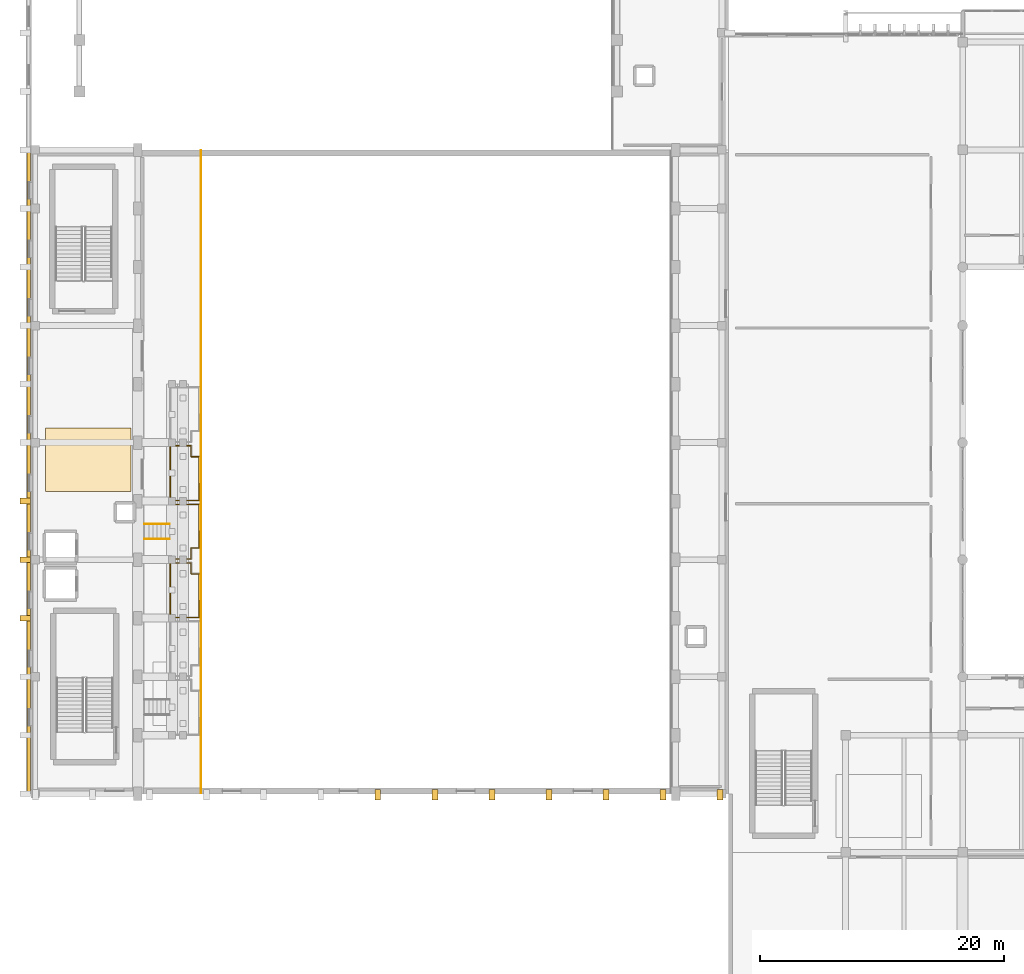
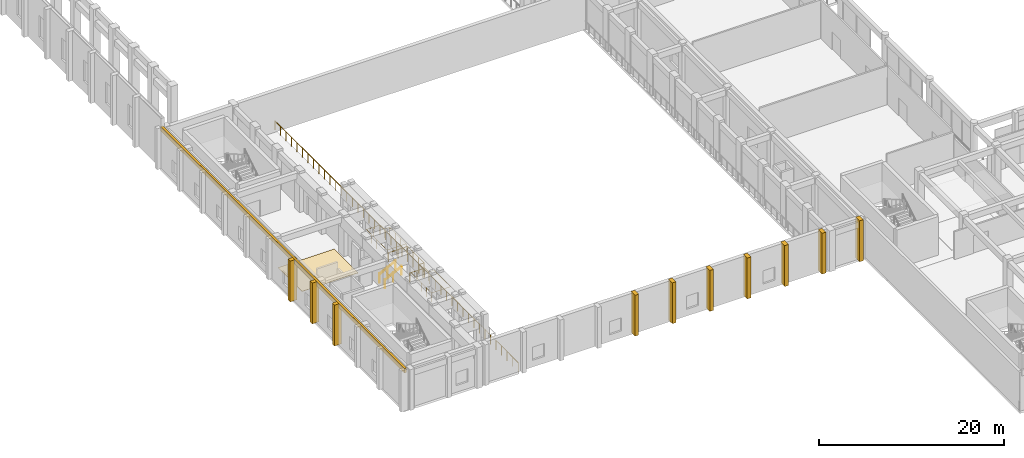
# One storey, part 118 of 134: 12 coverings, 8 railings.
"""IFC4 building model written with IfcOpenShell, lengths in metres."""

from ifc_helpers import new_model, si_unit, direction, frame, origin, origin_2d, place, context, subcontext, project, spatial, polyline, rectangle, circle, outline, extrude, material, layer, layer_set, type_object, element, save


model = new_model("IFC4")

# Units and contexts
model_context = context("Model", 3, precision=1e-05, world=origin(), true_north=direction((0.0, 1.0)))
body_context = subcontext(model_context, "Body", "Model", "MODEL_VIEW")
ifc_project = project(units=[si_unit("LENGTHUNIT", "METRE"), si_unit("AREAUNIT", "SQUARE_METRE"), si_unit("VOLUMEUNIT", "CUBIC_METRE"), si_unit("PLANEANGLEUNIT", "RADIAN"), si_unit("MASSUNIT", "GRAM", prefix="KILO")], contexts=[model_context])

# Site, building, storey
site_placement = place(None, origin())
site = spatial("IfcSite", under=ifc_project, at=site_placement, CompositionType="ELEMENT")
building_placement = place(site_placement, origin())
building = spatial("IfcBuilding", under=site, at=building_placement, Name="Nakhvara Creek Congress Hotel", CompositionType="ELEMENT")
storey_placement = place(building_placement, frame((0.0, 0.0, 6.0)))
storey = spatial("IfcBuildingStorey", under=building, at=storey_placement, Name="L01", CompositionType="ELEMENT", Elevation=6.0)

# Coverings
ifc_material_1 = material(Name="Honed pale Omani limestone architectural cladding", Category="masonry")
ifc_layer_1 = layer(ifc_material_1, 0.239990234375)
ifc_layer_set_1 = layer_set([ifc_layer_1], Name="Honed pale Omani limestone architectural cladding")
covering_type_1 = type_object("IfcCoveringType", Name="COV-ARCH-240", PredefinedType="CLADDING", material=ifc_layer_set_1)
covering_1_placement = place(storey_placement, frame((0.2099609375, 60.0, 4.820068359375), z_axis=(0.0, 0.0, 1.0), x_axis=(0.0, 1.0, 0.0)))
element("IfcCovering", 1, at=covering_1_placement, inside=storey, type_object=covering_type_1, Name="Pale Limestone Spandrel Band CF04-0037", PredefinedType="CLADDING", context=body_context, shape_type="SweptSolid", body=[
    extrude(rectangle(XDim=52.800048828125, YDim=0.260009765625, at=origin_2d()), origin(), (0.0, 0.0, 1.0), 0.580078125),
])
ifc_layer_2 = layer(ifc_material_1, 0.449951171875)
ifc_layer_set_2 = layer_set([ifc_layer_2], Name="Honed pale Omani limestone architectural cladding")
covering_type_2 = type_object("IfcCoveringType", Name="COV-BUTT-850", PredefinedType="CLADDING", material=ifc_layer_set_2)
for number, where, z_axis, x_axis, name in (
    (2, (-0.06494140625, 48.0, 0.0), (0.0, 0.0, 1.0), (0.0, 1.0, 0.0), "Gothic Limestone Buttress Pier CF03-0437"),
    (3, (-0.06494140625, 52.800048828125, 0.0), (0.0, 0.0, 1.0), (0.0, 1.0, 0.0), "Gothic Limestone Buttress Pier CF03-0438"),
    (4, (-0.06494140625, 57.60009765625, 0.0), (0.0, 0.0, 1.0), (0.0, 1.0, 0.0), "Gothic Limestone Buttress Pier CF03-0439"),
    (5, (28.830078125, 33.534912109375, 0.0), (0.0, 0.0, 1.0), (1.0, 0.0, 0.0), "Gothic Limestone Buttress Pier CF03-0452"),
    (6, (33.510009765625, 33.534912109375, 0.0), (0.0, 0.0, 1.0), (1.0, 0.0, 0.0), "Gothic Limestone Buttress Pier CF03-0453"),
    (7, (38.18994140625, 33.534912109375, 0.0), (0.0, 0.0, 1.0), (1.0, 0.0, 0.0), "Gothic Limestone Buttress Pier CF03-0454"),
    (8, (42.8701171875, 33.534912109375, 0.0), (0.0, 0.0, 1.0), (1.0, 0.0, 0.0), "Gothic Limestone Buttress Pier CF03-0455"),
    (9, (47.550048828125, 33.534912109375, 0.0), (0.0, 0.0, 1.0), (1.0, 0.0, 0.0), "Gothic Limestone Buttress Pier CF03-0456"),
    (10, (52.22998046875, 33.534912109375, 0.0), (0.0, 0.0, 1.0), (1.0, 0.0, 0.0), "Gothic Limestone Buttress Pier CF03-0457"),
    (11, (56.909912109375, 33.534912109375, 0.0), (0.0, 0.0, 1.0), (1.0, 0.0, 0.0), "Gothic Limestone Buttress Pier CF03-0458"),
):
    element("IfcCovering", number, at=place(storey_placement, frame(where, z_axis=z_axis, x_axis=x_axis)), inside=storey, type_object=covering_type_2, Name=name, PredefinedType="CLADDING", context=body_context, shape_type="SweptSolid", body=[
        extrude(rectangle(XDim=0.47998046875, YDim=0.85009765625, at=origin_2d()), origin(), (0.0, 0.0, 1.0), 5.39990234375),
    ])
ifc_material_2 = material(Name="Honed limestone and terrazzo acoustic floor finish", Category="masonry")
ifc_layer_3 = layer(ifc_material_2, 0.044921875)
ifc_layer_set_3 = layer_set([ifc_layer_3], Name="Honed limestone and terrazzo acoustic floor finish")
covering_type_3 = type_object("IfcCoveringType", Name="COV-FLR-TER", PredefinedType="FLOORING", material=ifc_layer_set_3)
covering_2_placement = place(storey_placement, origin())
element("IfcCovering", 12, at=covering_2_placement, inside=storey, type_object=covering_type_3, Name="Floor Finish L01-CH-02", PredefinedType="FLOORING", context=body_context, shape_type="SweptSolid", body=[
    extrude(outline(polyline([(1.60009765625, 58.39990234375), (8.60009765625, 58.39990234375), (8.60009765625, 63.60009765625), (1.60009765625, 63.60009765625), (1.60009765625, 58.39990234375)])), origin(), (0.0, 0.0, 1.0), 0.030029296875),
])

# Railings
ifc_material_3 = material(Name="Bronze-anodised aluminium and laminated safety glass balustrade", Category="aluminium")
railing_type_1 = type_object("IfcRailingType", Name="RL-BALUS-1200", PredefinedType="BALUSTRADE", material=ifc_material_3)
railing_1_placement = place(storey_placement, frame((14.330078125, 33.659912109375, 0.0)))
element("IfcRailing", 13, at=railing_1_placement, inside=storey, type_object=railing_type_1, Name="Congress Gallery Bowl Edge Guard L01", PredefinedType="BALUSTRADE", context=body_context, shape_type="SweptSolid", body=[
    extrude(circle(Radius=0.02392578125, at=origin_2d()), frame((0.0, 0.0146484375, 1.17578125), z_axis=(0.0, 1.0, 0.0), x_axis=(-1.0, 0.0, 0.0)), (0.0, 0.0, 1.0), 52.65087890625),
    extrude(circle(Radius=0.02099609375, at=origin_2d()), origin(), (0.0, 0.0, 1.0), 1.1806640625),
    extrude(circle(Radius=0.02099609375, at=origin_2d()), frame((0.0, 1.197265625, 0.0)), (0.0, 0.0, 1.0), 1.1806640625),
    extrude(circle(Radius=0.02099609375, at=origin_2d()), frame((0.0, 2.39453125, 0.0)), (0.0, 0.0, 1.0), 1.1806640625),
    extrude(circle(Radius=0.02099609375, at=origin_2d()), frame((0.0, 3.591796875, 0.0)), (0.0, 0.0, 1.0), 1.1806640625),
    extrude(circle(Radius=0.02099609375, at=origin_2d()), frame((0.0, 4.7890625, 0.0)), (0.0, 0.0, 1.0), 1.1806640625),
    extrude(circle(Radius=0.02099609375, at=origin_2d()), frame((0.0, 5.986328125, 0.0)), (0.0, 0.0, 1.0), 1.1806640625),
    extrude(circle(Radius=0.02099609375, at=origin_2d()), frame((0.0, 7.18359375, 0.0)), (0.0, 0.0, 1.0), 1.1806640625),
    extrude(circle(Radius=0.02099609375, at=origin_2d()), frame((0.0, 8.380859375, 0.0)), (0.0, 0.0, 1.0), 1.1806640625),
    extrude(circle(Radius=0.02099609375, at=origin_2d()), frame((0.0, 9.578125, 0.0)), (0.0, 0.0, 1.0), 1.1806640625),
    extrude(circle(Radius=0.02099609375, at=origin_2d()), frame((0.0, 10.775390625, 0.0)), (0.0, 0.0, 1.0), 1.1806640625),
    extrude(circle(Radius=0.02099609375, at=origin_2d()), frame((0.0, 11.97265625, 0.0)), (0.0, 0.0, 1.0), 1.1806640625),
    extrude(circle(Radius=0.02099609375, at=origin_2d()), frame((0.0, 13.169921875, 0.0)), (0.0, 0.0, 1.0), 1.1806640625),
    extrude(circle(Radius=0.02099609375, at=origin_2d()), frame((0.0, 14.367431640625, 0.0)), (0.0, 0.0, 1.0), 1.1806640625),
    extrude(circle(Radius=0.02099609375, at=origin_2d()), frame((0.0, 15.564697265625, 0.0)), (0.0, 0.0, 1.0), 1.1806640625),
    extrude(circle(Radius=0.02099609375, at=origin_2d()), frame((0.0, 16.761962890625, 0.0)), (0.0, 0.0, 1.0), 1.1806640625),
    extrude(circle(Radius=0.02099609375, at=origin_2d()), frame((0.0, 17.959228515625, 0.0)), (0.0, 0.0, 1.0), 1.1806640625),
    extrude(circle(Radius=0.02099609375, at=origin_2d()), frame((0.0, 19.156494140625, 0.0)), (0.0, 0.0, 1.0), 1.1806640625),
    extrude(circle(Radius=0.02099609375, at=origin_2d()), frame((0.0, 20.353759765625, 0.0)), (0.0, 0.0, 1.0), 1.1806640625),
    extrude(circle(Radius=0.02099609375, at=origin_2d()), frame((0.0, 21.551025390625, 0.0)), (0.0, 0.0, 1.0), 1.1806640625),
    extrude(circle(Radius=0.02099609375, at=origin_2d()), frame((0.0, 22.748291015625, 0.0)), (0.0, 0.0, 1.0), 1.1806640625),
    extrude(circle(Radius=0.02099609375, at=origin_2d()), frame((0.0, 23.945556640625, 0.0)), (0.0, 0.0, 1.0), 1.1806640625),
    extrude(circle(Radius=0.02099609375, at=origin_2d()), frame((0.0, 25.142822265625, 0.0)), (0.0, 0.0, 1.0), 1.1806640625),
    extrude(circle(Radius=0.02099609375, at=origin_2d()), frame((0.0, 26.340087890625, 0.0)), (0.0, 0.0, 1.0), 1.1806640625),
    extrude(circle(Radius=0.02099609375, at=origin_2d()), frame((0.0, 27.537353515625, 0.0)), (0.0, 0.0, 1.0), 1.1806640625),
    extrude(circle(Radius=0.02099609375, at=origin_2d()), frame((0.0, 28.734619140625, 0.0)), (0.0, 0.0, 1.0), 1.1806640625),
    extrude(circle(Radius=0.02099609375, at=origin_2d()), frame((0.0, 29.931884765625, 0.0)), (0.0, 0.0, 1.0), 1.1806640625),
    extrude(circle(Radius=0.02099609375, at=origin_2d()), frame((0.0, 31.129150390625, 0.0)), (0.0, 0.0, 1.0), 1.1806640625),
    extrude(circle(Radius=0.02099609375, at=origin_2d()), frame((0.0, 32.326416015625, 0.0)), (0.0, 0.0, 1.0), 1.1806640625),
    extrude(circle(Radius=0.02099609375, at=origin_2d()), frame((0.0, 33.523681640625, 0.0)), (0.0, 0.0, 1.0), 1.1806640625),
    extrude(circle(Radius=0.02099609375, at=origin_2d()), frame((0.0, 34.720947265625, 0.0)), (0.0, 0.0, 1.0), 1.1806640625),
    extrude(circle(Radius=0.02099609375, at=origin_2d()), frame((0.0, 35.918212890625, 0.0)), (0.0, 0.0, 1.0), 1.1806640625),
    extrude(circle(Radius=0.02099609375, at=origin_2d()), frame((0.0, 37.115478515625, 0.0)), (0.0, 0.0, 1.0), 1.1806640625),
    extrude(circle(Radius=0.02099609375, at=origin_2d()), frame((0.0, 38.312744140625, 0.0)), (0.0, 0.0, 1.0), 1.1806640625),
    extrude(circle(Radius=0.02099609375, at=origin_2d()), frame((0.0, 39.51025390625, 0.0)), (0.0, 0.0, 1.0), 1.1806640625),
    extrude(circle(Radius=0.02099609375, at=origin_2d()), frame((0.0, 40.70751953125, 0.0)), (0.0, 0.0, 1.0), 1.1806640625),
    extrude(circle(Radius=0.02099609375, at=origin_2d()), frame((0.0, 41.90478515625, 0.0)), (0.0, 0.0, 1.0), 1.1806640625),
    extrude(circle(Radius=0.02099609375, at=origin_2d()), frame((0.0, 43.10205078125, 0.0)), (0.0, 0.0, 1.0), 1.1806640625),
    extrude(circle(Radius=0.02099609375, at=origin_2d()), frame((0.0, 44.29931640625, 0.0)), (0.0, 0.0, 1.0), 1.1806640625),
    extrude(circle(Radius=0.02099609375, at=origin_2d()), frame((0.0, 45.49658203125, 0.0)), (0.0, 0.0, 1.0), 1.1806640625),
    extrude(circle(Radius=0.02099609375, at=origin_2d()), frame((0.0, 46.69384765625, 0.0)), (0.0, 0.0, 1.0), 1.1806640625),
    extrude(circle(Radius=0.02099609375, at=origin_2d()), frame((0.0, 47.89111328125, 0.0)), (0.0, 0.0, 1.0), 1.1806640625),
    extrude(circle(Radius=0.02099609375, at=origin_2d()), frame((0.0, 49.08837890625, 0.0)), (0.0, 0.0, 1.0), 1.1806640625),
    extrude(circle(Radius=0.02099609375, at=origin_2d()), frame((0.0, 50.28564453125, 0.0)), (0.0, 0.0, 1.0), 1.1806640625),
    extrude(circle(Radius=0.02099609375, at=origin_2d()), frame((0.0, 51.48291015625, 0.0)), (0.0, 0.0, 1.0), 1.1806640625),
    extrude(circle(Radius=0.02099609375, at=origin_2d()), frame((0.0, 52.68017578125, 0.0)), (0.0, 0.0, 1.0), 1.1806640625),
])
railing_2_placement = place(storey_placement, frame((11.81005859375, 48.06005859375, 1.35009765625)))
element("IfcRailing", 14, at=railing_2_placement, inside=storey, type_object=railing_type_1, Name="Stand Tier Balustrade L01-03", PredefinedType="BALUSTRADE", context=body_context, shape_type="SweptSolid", body=[
    extrude(circle(Radius=0.02392578125, at=origin_2d()), frame((0.0146484375, 0.0, 1.17578125), z_axis=(1.0, 0.0, 0.0), x_axis=(0.0, 1.0, 0.0)), (0.0, 0.0, 1.0), 2.340576171875),
    extrude(circle(Radius=0.02392578125, at=origin_2d()), frame((2.369873046875, 0.0146484375, 1.17578125), z_axis=(0.0, 1.0, 0.0), x_axis=(-1.0, 0.0, 0.0)), (0.0, 0.0, 1.0), 3.550537109375),
    extrude(circle(Radius=0.02392578125, at=origin_2d()), frame((2.355224609375, 3.579833984375, 1.17578125), z_axis=(-1.0, 0.0, 0.0), x_axis=(0.0, -1.0, 0.0)), (0.0, 0.0, 1.0), 0.62060546875),
    extrude(circle(Radius=0.02392578125, at=origin_2d()), frame((1.719970703125, 3.594482421875, 1.17578125), z_axis=(0.0, 1.0, 0.0), x_axis=(-1.0, 0.0, 0.0)), (0.0, 0.0, 1.0), 0.870849609375),
    extrude(circle(Radius=0.02392578125, at=origin_2d()), frame((1.705322265625, 4.47998046875, 1.17578125), z_axis=(-1.0, 0.0, 0.0), x_axis=(0.0, -1.0, 0.0)), (0.0, 0.0, 1.0), 1.690673828125),
    extrude(circle(Radius=0.02392578125, at=origin_2d()), frame((0.0, 4.46533203125, 1.17578125), z_axis=(0.0, -1.0, 0.0), x_axis=(1.0, 0.0, 0.0)), (0.0, 0.0, 1.0), 4.45068359375),
    extrude(circle(Radius=0.02099609375, at=origin_2d()), origin(), (0.0, 0.0, 1.0), 1.1806640625),
    extrude(circle(Radius=0.02099609375, at=origin_2d()), frame((1.18505859375, 0.0, 0.0)), (0.0, 0.0, 1.0), 1.1806640625),
    extrude(circle(Radius=0.02099609375, at=origin_2d()), frame((2.369873046875, 0.0, 0.0)), (0.0, 0.0, 1.0), 1.1806640625),
    extrude(circle(Radius=0.02099609375, at=origin_2d()), frame((2.369873046875, 1.193359375, 0.0)), (0.0, 0.0, 1.0), 1.1806640625),
    extrude(circle(Radius=0.02099609375, at=origin_2d()), frame((2.369873046875, 2.386474609375, 0.0)), (0.0, 0.0, 1.0), 1.1806640625),
    extrude(circle(Radius=0.02099609375, at=origin_2d()), frame((2.369873046875, 3.579833984375, 0.0)), (0.0, 0.0, 1.0), 1.1806640625),
    extrude(circle(Radius=0.02099609375, at=origin_2d()), frame((1.719970703125, 3.579833984375, 0.0)), (0.0, 0.0, 1.0), 1.1806640625),
    extrude(circle(Radius=0.02099609375, at=origin_2d()), frame((1.719970703125, 4.47998046875, 0.0)), (0.0, 0.0, 1.0), 1.1806640625),
    extrude(circle(Radius=0.02099609375, at=origin_2d()), frame((0.85986328125, 4.47998046875, 0.0)), (0.0, 0.0, 1.0), 1.1806640625),
    extrude(circle(Radius=0.02099609375, at=origin_2d()), frame((0.0, 4.47998046875, 0.0)), (0.0, 0.0, 1.0), 1.1806640625),
    extrude(circle(Radius=0.02099609375, at=origin_2d()), frame((0.0, 3.35986328125, 0.0)), (0.0, 0.0, 1.0), 1.1806640625),
    extrude(circle(Radius=0.02099609375, at=origin_2d()), frame((0.0, 2.239990234375, 0.0)), (0.0, 0.0, 1.0), 1.1806640625),
    extrude(circle(Radius=0.02099609375, at=origin_2d()), frame((0.0, 1.1201171875, 0.0)), (0.0, 0.0, 1.0), 1.1806640625),
])
railing_3_placement = place(storey_placement, frame((11.81005859375, 52.860107421875, 1.050048828125)))
element("IfcRailing", 15, at=railing_3_placement, inside=storey, type_object=railing_type_1, Name="Stand Tier Balustrade L01-04", PredefinedType="BALUSTRADE", context=body_context, shape_type="SweptSolid", body=[
    extrude(circle(Radius=0.02392578125, at=origin_2d()), frame((0.0146484375, 0.0, 1.17578125), z_axis=(1.0, 0.0, 0.0), x_axis=(0.0, 1.0, 0.0)), (0.0, 0.0, 1.0), 1.690673828125),
    extrude(circle(Radius=0.02392578125, at=origin_2d()), frame((1.719970703125, 0.0146484375, 1.17578125), z_axis=(0.0, 1.0, 0.0), x_axis=(-1.0, 0.0, 0.0)), (0.0, 0.0, 1.0), 0.87060546875),
    extrude(circle(Radius=0.02392578125, at=origin_2d()), frame((1.734619140625, 0.89990234375, 1.17578125), z_axis=(1.0, 0.0, 0.0), x_axis=(0.0, 1.0, 0.0)), (0.0, 0.0, 1.0), 0.62060546875),
    extrude(circle(Radius=0.02392578125, at=origin_2d()), frame((2.369873046875, 0.91455078125, 1.17578125), z_axis=(0.0, 1.0, 0.0), x_axis=(-1.0, 0.0, 0.0)), (0.0, 0.0, 1.0), 3.55078125),
    extrude(circle(Radius=0.02392578125, at=origin_2d()), frame((2.355224609375, 4.47998046875, 1.17578125), z_axis=(-1.0, 0.0, 0.0), x_axis=(0.0, -1.0, 0.0)), (0.0, 0.0, 1.0), 2.340576171875),
    extrude(circle(Radius=0.02099609375, at=origin_2d()), origin(), (0.0, 0.0, 1.0), 1.1806640625),
    extrude(circle(Radius=0.02099609375, at=origin_2d()), frame((0.85986328125, 0.0, 0.0)), (0.0, 0.0, 1.0), 1.1806640625),
    extrude(circle(Radius=0.02099609375, at=origin_2d()), frame((1.719970703125, 0.0, 0.0)), (0.0, 0.0, 1.0), 1.1806640625),
    extrude(circle(Radius=0.02099609375, at=origin_2d()), frame((1.719970703125, 0.89990234375, 0.0)), (0.0, 0.0, 1.0), 1.1806640625),
    extrude(circle(Radius=0.02099609375, at=origin_2d()), frame((2.369873046875, 0.89990234375, 0.0)), (0.0, 0.0, 1.0), 1.1806640625),
    extrude(circle(Radius=0.02099609375, at=origin_2d()), frame((2.369873046875, 2.09326171875, 0.0)), (0.0, 0.0, 1.0), 1.1806640625),
    extrude(circle(Radius=0.02099609375, at=origin_2d()), frame((2.369873046875, 3.28662109375, 0.0)), (0.0, 0.0, 1.0), 1.1806640625),
    extrude(circle(Radius=0.02099609375, at=origin_2d()), frame((2.369873046875, 4.47998046875, 0.0)), (0.0, 0.0, 1.0), 1.1806640625),
    extrude(circle(Radius=0.02099609375, at=origin_2d()), frame((1.18505859375, 4.47998046875, 0.0)), (0.0, 0.0, 1.0), 1.1806640625),
    extrude(circle(Radius=0.02099609375, at=origin_2d()), frame((0.0, 4.47998046875, 0.0)), (0.0, 0.0, 1.0), 1.1806640625),
])
railing_4_placement = place(storey_placement, frame((11.81005859375, 57.659912109375, 1.199951171875)))
element("IfcRailing", 16, at=railing_4_placement, inside=storey, type_object=railing_type_1, Name="Stand Tier Balustrade L01-05", PredefinedType="BALUSTRADE", context=body_context, shape_type="SweptSolid", body=[
    extrude(circle(Radius=0.02392578125, at=origin_2d()), frame((0.0146484375, 0.0, 1.17578125), z_axis=(1.0, 0.0, 0.0), x_axis=(0.0, 1.0, 0.0)), (0.0, 0.0, 1.0), 2.340576171875),
    extrude(circle(Radius=0.02392578125, at=origin_2d()), frame((2.369873046875, 0.0146484375, 1.17578125), z_axis=(0.0, 1.0, 0.0), x_axis=(-1.0, 0.0, 0.0)), (0.0, 0.0, 1.0), 3.55078125),
    extrude(circle(Radius=0.02392578125, at=origin_2d()), frame((2.355224609375, 3.580078125, 1.17578125), z_axis=(-1.0, 0.0, 0.0), x_axis=(0.0, -1.0, 0.0)), (0.0, 0.0, 1.0), 0.62060546875),
    extrude(circle(Radius=0.02392578125, at=origin_2d()), frame((1.719970703125, 3.5947265625, 1.17578125), z_axis=(0.0, 1.0, 0.0), x_axis=(-1.0, 0.0, 0.0)), (0.0, 0.0, 1.0), 0.87060546875),
    extrude(circle(Radius=0.02392578125, at=origin_2d()), frame((1.705322265625, 4.47998046875, 1.17578125), z_axis=(-1.0, 0.0, 0.0), x_axis=(0.0, -1.0, 0.0)), (0.0, 0.0, 1.0), 1.690673828125),
    extrude(circle(Radius=0.02392578125, at=origin_2d()), frame((0.0, 4.46533203125, 1.17578125), z_axis=(0.0, -1.0, 0.0), x_axis=(1.0, 0.0, 0.0)), (0.0, 0.0, 1.0), 4.45068359375),
    extrude(circle(Radius=0.02099609375, at=origin_2d()), origin(), (0.0, 0.0, 1.0), 1.1806640625),
    extrude(circle(Radius=0.02099609375, at=origin_2d()), frame((1.18505859375, 0.0, 0.0)), (0.0, 0.0, 1.0), 1.1806640625),
    extrude(circle(Radius=0.02099609375, at=origin_2d()), frame((2.369873046875, 0.0, 0.0)), (0.0, 0.0, 1.0), 1.1806640625),
    extrude(circle(Radius=0.02099609375, at=origin_2d()), frame((2.369873046875, 1.193359375, 0.0)), (0.0, 0.0, 1.0), 1.1806640625),
    extrude(circle(Radius=0.02099609375, at=origin_2d()), frame((2.369873046875, 2.38671875, 0.0)), (0.0, 0.0, 1.0), 1.1806640625),
    extrude(circle(Radius=0.02099609375, at=origin_2d()), frame((2.369873046875, 3.580078125, 0.0)), (0.0, 0.0, 1.0), 1.1806640625),
    extrude(circle(Radius=0.02099609375, at=origin_2d()), frame((1.719970703125, 3.580078125, 0.0)), (0.0, 0.0, 1.0), 1.1806640625),
    extrude(circle(Radius=0.02099609375, at=origin_2d()), frame((1.719970703125, 4.47998046875, 0.0)), (0.0, 0.0, 1.0), 1.1806640625),
    extrude(circle(Radius=0.02099609375, at=origin_2d()), frame((0.85986328125, 4.47998046875, 0.0)), (0.0, 0.0, 1.0), 1.1806640625),
    extrude(circle(Radius=0.02099609375, at=origin_2d()), frame((0.0, 4.47998046875, 0.0)), (0.0, 0.0, 1.0), 1.1806640625),
    extrude(circle(Radius=0.02099609375, at=origin_2d()), frame((0.0, 3.35986328125, 0.0)), (0.0, 0.0, 1.0), 1.1806640625),
    extrude(circle(Radius=0.02099609375, at=origin_2d()), frame((0.0, 2.239990234375, 0.0)), (0.0, 0.0, 1.0), 1.1806640625),
    extrude(circle(Radius=0.02099609375, at=origin_2d()), frame((0.0, 1.1201171875, 0.0)), (0.0, 0.0, 1.0), 1.1806640625),
])
ifc_material_4 = material(Name="Brushed stainless steel 316L", Category="steel")
railing_type_2 = type_object("IfcRailingType", Name="RL-GUARD-1200", PredefinedType="GUARDRAIL", material=ifc_material_4)
for number, where, name in (
    (17, (9.7099609375, 54.47998046875, 0.0), "Vomitory Guard SV04-S"),
    (18, (9.7099609375, 55.719970703125, 0.0), "Vomitory Guard SV04-N"),
):
    element("IfcRailing", number, at=place(storey_placement, frame(where)), inside=storey, type_object=railing_type_2, Name=name, PredefinedType="GUARDRAIL", context=body_context, shape_type="SweptSolid", body=[
        extrude(circle(Radius=0.02392578125, at=origin_2d()), frame((0.01318359375, 0.0, 1.1826171875), z_axis=(0.889130716513, 0.0, 0.457653328354), x_axis=(0.0, 1.0, 0.0)), (0.0, 0.0, 1.0), 2.26513671875),
        extrude(circle(Radius=0.02099609375, at=origin_2d()), origin(), (0.0, 0.0, 1.0), 1.1806640625),
        extrude(circle(Radius=0.02099609375, at=origin_2d()), frame((1.02001953125, 0.0, 0.52490234375)), (0.0, 0.0, 1.0), 1.1806640625),
        extrude(circle(Radius=0.02099609375, at=origin_2d()), frame((2.0400390625, 0.0, 1.050048828125)), (0.0, 0.0, 1.0), 1.1806640625),
    ])
railing_type_3 = type_object("IfcRailingType", Name="RL-HAND-900", PredefinedType="HANDRAIL", material=ifc_material_4)
for number, where, name in (
    (19, (9.7099609375, 54.47998046875, 0.14990234375), "Vomitory Handrail SV04-S"),
    (20, (9.7099609375, 55.719970703125, 0.14990234375), "Vomitory Handrail SV04-N"),
):
    element("IfcRailing", number, at=place(storey_placement, frame(where)), inside=storey, type_object=railing_type_3, Name=name, PredefinedType="HANDRAIL", context=body_context, shape_type="SweptSolid", body=[
        extrude(circle(Radius=0.02392578125, at=origin_2d()), frame((0.012939453125, 0.0, 0.882568359375), z_axis=(0.887178554642, 0.0, 0.461426280334), x_axis=(0.0, 1.0, 0.0)), (0.0, 0.0, 1.0), 2.27001953125),
        extrude(circle(Radius=0.02099609375, at=origin_2d()), origin(), (0.0, 0.0, 1.0), 0.880615234375),
        extrude(circle(Radius=0.02099609375, at=origin_2d()), frame((1.02001953125, 0.0, 0.530517578125)), (0.0, 0.0, 1.0), 0.880615234375),
        extrude(circle(Radius=0.02099609375, at=origin_2d()), frame((2.0400390625, 0.0, 1.06103515625)), (0.0, 0.0, 1.0), 0.880615234375),
    ])

save(model, "model.ifc")
